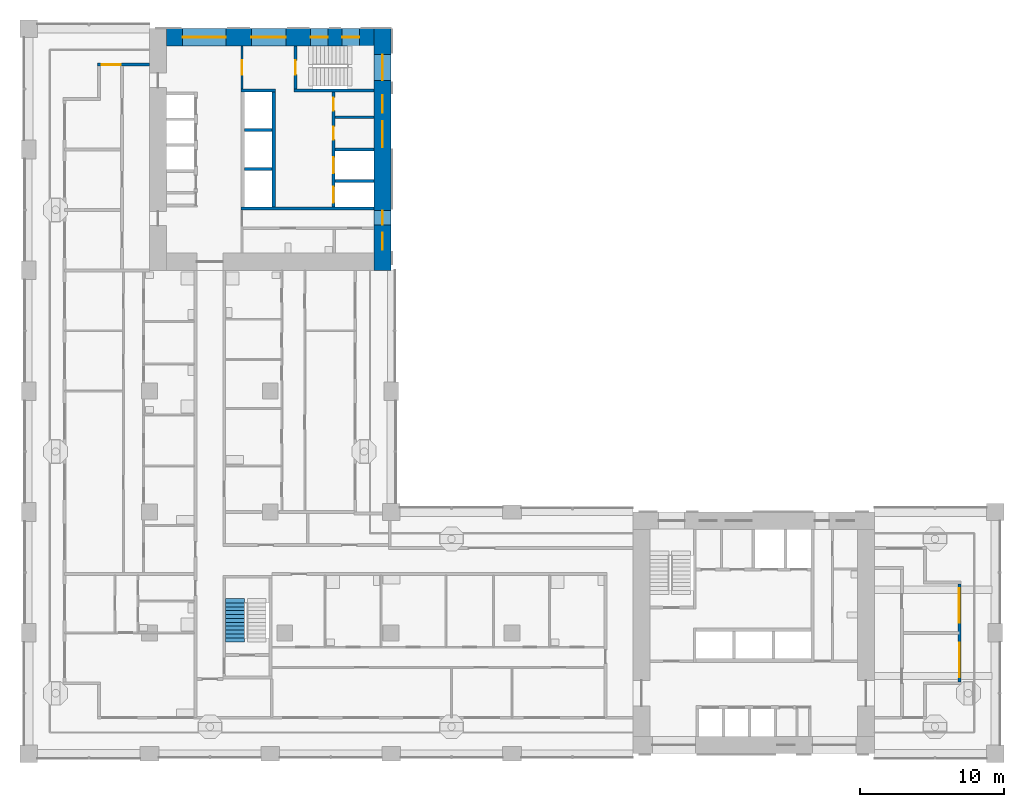
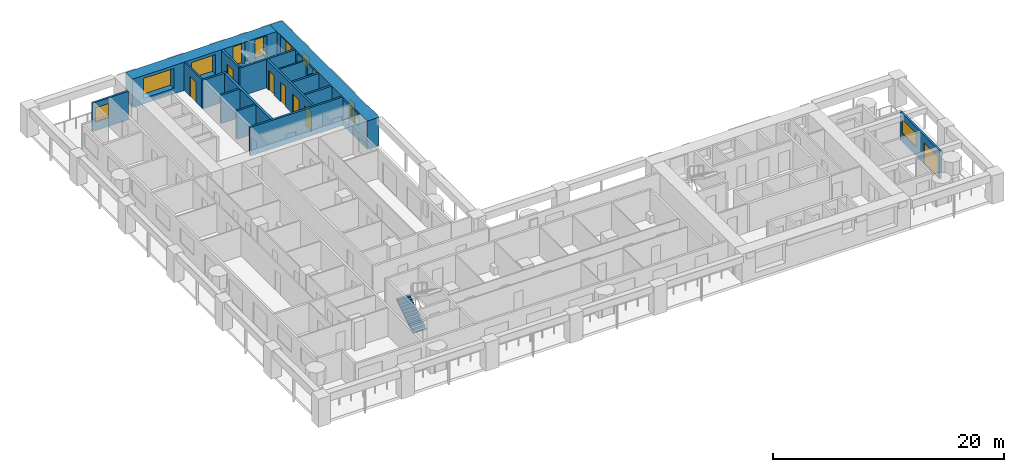
# One storey, part 7 of 18: 16 walls, 11 windows, 7 doors, 1 stair flight, 18 openings, 1 element without a shape of its own.
"""IFC4 building model written with IfcOpenShell, lengths in metres."""

import ifcopenshell
import ifcopenshell.guid

model = None  # the IFC model being written
_history = None  # IfcOwnerHistory: only IFC2X3 demands one
_inside = {}  # id of a spatial element -> (the spatial element, [elements in it])
_under = {}  # id of a project, library or spatial element -> (it, [spatial elements below it])
_declared = {}  # id of a project -> (the project, [libraries it declares])
_typed = {}  # id of a type object -> (the type object, [elements of that type])
_made_of = {}  # id of a material, layer set ... -> (it, [elements and type objects made of it])


def new_model(schema):
    """Start an empty IFC model of exactly this schema.

    Asked for "IFC4X3", IfcOpenShell would pick the latest addendum, in which some entities
    have other attributes; the version numbers below select the first issue.
    IFC2X3 requires an IfcOwnerHistory on every rooted entity: one is made here for all.
    """
    global model, _history
    if schema == "IFC4X3":
        model = ifcopenshell.file(schema_version=(4, 3, 0, 0))
    else:
        model = ifcopenshell.file(schema=schema)
    _inside.clear()
    _under.clear()
    _declared.clear()
    _typed.clear()
    _made_of.clear()
    _history = None
    if model.schema == "IFC2X3":
        org = make("IfcOrganization", Name="unknown")
        user = make(
            "IfcPersonAndOrganization",
            ThePerson=make("IfcPerson", FamilyName="unknown"),
            TheOrganization=org,
        )
        app = make(
            "IfcApplication",
            ApplicationDeveloper=org,
            Version="unknown",
            ApplicationFullName="unknown",
            ApplicationIdentifier="unknown",
        )
        _history = make(
            "IfcOwnerHistory",
            OwningUser=user,
            OwningApplication=app,
            ChangeAction="ADDED",
            CreationDate=0,
        )
    return model


def make(cls, **values):
    """One entity of the class cls with the attributes given. An attribute that is None is left unset."""
    return model.create_entity(
        cls, **{name: value for name, value in values.items() if value is not None}
    )


def rooted(cls, **values):
    """An entity with a GlobalId (a new one), such as an element, a storey or a relation."""
    return make(cls, GlobalId=ifcopenshell.guid.new(), OwnerHistory=_history, **values)


def si_unit(unit_type, name, prefix=None):
    """IfcSIUnit, for example si_unit("LENGTHUNIT", "METRE", prefix="MILLI")."""
    return make("IfcSIUnit", UnitType=unit_type, Prefix=prefix, Name=name)


def assignment(units):
    """IfcUnitAssignment: the units of a project."""
    return None if units is None else make("IfcUnitAssignment", Units=units)


def point(xyz):
    """IfcCartesianPoint."""
    return None if xyz is None else make("IfcCartesianPoint", Coordinates=xyz)


def direction(xyz):
    """IfcDirection."""
    return None if xyz is None else make("IfcDirection", DirectionRatios=xyz)


def frame(location, z_axis=None, x_axis=None):
    """IfcAxis2Placement3D, a coordinate frame: its origin and axes. An axis left out is left unset."""
    return make(
        "IfcAxis2Placement3D",
        Location=point(location),
        Axis=direction(z_axis),
        RefDirection=direction(x_axis),
    )


def frame_2d(location, x_axis=None):
    """IfcAxis2Placement2D, a coordinate frame in the plane: its origin and x axis."""
    return make(
        "IfcAxis2Placement2D", Location=point(location), RefDirection=direction(x_axis)
    )


def origin():
    """The frame at (0, 0, 0) with its axes left unset."""
    return frame((0.0, 0.0, 0.0))


def place(relative_to, where):
    """IfcLocalPlacement: puts the frame where relative to a parent placement (None: the world)."""
    return make(
        "IfcLocalPlacement", PlacementRelTo=relative_to, RelativePlacement=where
    )


def context(
    kind, dimensions, precision=None, world=None, true_north=None, identifier=None
):
    """IfcGeometricRepresentationContext, for example the 3D "Model" context."""
    return make(
        "IfcGeometricRepresentationContext",
        ContextIdentifier=identifier,
        ContextType=kind,
        CoordinateSpaceDimension=dimensions,
        Precision=precision,
        WorldCoordinateSystem=world,
        TrueNorth=true_north,
    )


def subcontext(parent, identifier, kind, view, scale=None):
    """IfcGeometricRepresentationSubContext, for example "Body" below "Model"."""
    return make(
        "IfcGeometricRepresentationSubContext",
        ContextIdentifier=identifier,
        ContextType=kind,
        ParentContext=parent,
        TargetScale=scale,
        TargetView=view,
    )


def project(units=None, contexts=None):
    """IfcProject with its units and contexts."""
    return rooted(
        "IfcProject",
        Name="project",
        RepresentationContexts=contexts,
        UnitsInContext=assignment(units),
    )


def spatial(cls, under=None, at=None, **own):
    """A site, building, storey or space (cls), placed at a placement, below another one or the project."""
    s = rooted(cls, ObjectPlacement=at, **own)
    if under is not None:
        _under.setdefault(under.id(), (under, []))[1].append(s)
    return s


def polyline(points):
    """IfcPolyline through the points."""
    return make("IfcPolyline", Points=[point(p) for p in points])


def profile(cls, at=None, kind="AREA", **sizes):
    """A parametric profile (cls). Its sizes go by their IFC names, for example OverallWidth=200.0."""
    return make(cls, ProfileType=kind, Position=at, **sizes)


def rectangle(**sizes):
    """IfcRectangleProfileDef."""
    return profile("IfcRectangleProfileDef", **sizes)


def outline(outer, holes=None, kind="AREA"):
    """IfcArbitraryClosedProfileDef: a profile drawn as a closed curve; with holes, ...WithVoids."""
    if holes is None:
        return make("IfcArbitraryClosedProfileDef", ProfileType=kind, OuterCurve=outer)
    return make(
        "IfcArbitraryProfileDefWithVoids",
        ProfileType=kind,
        OuterCurve=outer,
        InnerCurves=holes,
    )


def extrude(swept, where, along, depth):
    """IfcExtrudedAreaSolid: the profile swept, set in the frame where, extruded along a direction by depth."""
    return make(
        "IfcExtrudedAreaSolid",
        SweptArea=swept,
        Position=where,
        ExtrudedDirection=direction(along),
        Depth=depth,
    )


def shape(context_of_items, identifier, shape_type, items):
    """IfcShapeRepresentation: the items that make up one representation, for example the "Body"."""
    return make(
        "IfcShapeRepresentation",
        ContextOfItems=context_of_items,
        RepresentationIdentifier=identifier,
        RepresentationType=shape_type,
        Items=items,
    )


def material(Name=None, Category=None):
    """IfcMaterial."""
    return make("IfcMaterial", Name=Name, Category=Category)


def layer(
    of_material, thickness, ventilated=None, Name=None, Category=None, Priority=None
):
    """IfcMaterialLayer: one layer of a wall or slab, of a material (None: an air gap)."""
    return make(
        "IfcMaterialLayer",
        Material=of_material,
        LayerThickness=thickness,
        IsVentilated=ventilated,
        Name=Name,
        Category=Category,
        Priority=Priority,
    )


def layer_set(layers, Name=None):
    """IfcMaterialLayerSet."""
    return make("IfcMaterialLayerSet", MaterialLayers=layers, LayerSetName=Name)


def made_of(thing, what):
    """Note that an element or type object is made of a material, layer set ...; save() writes the relation."""
    if what is not None:
        _made_of.setdefault(what.id(), (what, []))[1].append(thing)
    return thing


def type_object(cls, material=None, **own):
    """A type object (cls), such as IfcWallType, which elements share."""
    return made_of(rooted(cls, **own), material)


def element(
    cls,
    number,
    at=None,
    inside=None,
    cuts=None,
    type_object=None,
    material=None,
    context=None,
    identifier="Body",
    shape_type=None,
    held_by="IfcProductDefinitionShape",
    body=None,
    shapes=None,
    **own,
):
    """One element of the class cls, such as IfcWall. Its Tag is "e" and its number.

    at: its placement. inside: the storey or other place that contains it. cuts: it is an
    opening in that element (IfcRelVoidsElement). A single representation is given by context,
    identifier, shape_type and body (its items); several are given by shapes. held_by: the class
    of the entity that holds the representations. save() writes the other relations.
    """
    e = rooted(cls, Tag="e%d" % number, ObjectPlacement=at, **own)
    if body is not None:
        shapes = [shape(context, identifier, shape_type, body)]
    if shapes is not None:
        e.Representation = make(held_by, Representations=shapes)
    if inside is not None:
        _inside.setdefault(inside.id(), (inside, []))[1].append(e)
    if cuts is not None:
        rooted(
            "IfcRelVoidsElement", RelatingBuildingElement=cuts, RelatedOpeningElement=e
        )
    if type_object is not None:
        _typed.setdefault(type_object.id(), (type_object, []))[1].append(e)
    return made_of(e, material)


def fill(opening, filler):
    """IfcRelFillsElement: the door or window that sits in an opening."""
    return rooted(
        "IfcRelFillsElement",
        RelatingOpeningElement=opening,
        RelatedBuildingElement=filler,
    )


def aggregate(whole, parts):
    """IfcRelAggregates: a whole, such as a stair, and the parts it consists of."""
    return rooted("IfcRelAggregates", RelatingObject=whole, RelatedObjects=parts)


def save(model, path):
    """Write the relations noted so far, then the file.

    IfcRelAggregates (storeys below a building ...), IfcRelContainedInSpatialStructure (elements
    in a storey), IfcRelDefinesByType, IfcRelAssociatesMaterial and IfcRelDeclares: one each for
    every whole, place, type object, material and project.
    """
    for whole, parts in _under.values():
        aggregate(whole, parts)
    for where, things in _inside.values():
        rooted(
            "IfcRelContainedInSpatialStructure",
            RelatedElements=things,
            RelatingStructure=where,
        )
    for kind, things in _typed.values():
        rooted("IfcRelDefinesByType", RelatedObjects=things, RelatingType=kind)
    for what, things in _made_of.values():
        rooted("IfcRelAssociatesMaterial", RelatedObjects=things, RelatingMaterial=what)
    for by, libraries in _declared.values():
        rooted("IfcRelDeclares", RelatingContext=by, RelatedDefinitions=libraries)
    model.write(path)


model = new_model("IFC4")

# Units and contexts
model_context = context("Model", 3, precision=1e-05, world=origin(), true_north=direction((0.0, 1.0)))
body_context = subcontext(model_context, "Body", "Model", "MODEL_VIEW")
ifc_project = project(units=[si_unit("LENGTHUNIT", "METRE"), si_unit("AREAUNIT", "SQUARE_METRE"), si_unit("VOLUMEUNIT", "CUBIC_METRE"), si_unit("PLANEANGLEUNIT", "RADIAN"), si_unit("MASSUNIT", "GRAM", prefix="KILO")], contexts=[model_context])

# Site, building, storey
site_placement = place(None, origin())
site = spatial("IfcSite", under=ifc_project, at=site_placement, CompositionType="ELEMENT")
building_placement = place(site_placement, origin())
building = spatial("IfcBuilding", under=site, at=building_placement, Name="Vermilion Gate Residences", CompositionType="ELEMENT")
storey_placement = place(building_placement, frame((0.0, 0.0, 137.199951171875)))
storey = spatial("IfcBuildingStorey", under=building, at=storey_placement, Name="L35", CompositionType="ELEMENT", Elevation=137.199951171875)

# Wall
ifc_material_1 = material(Name="Masonry blockwork", Category="masonry")
ifc_layer_1 = layer(ifc_material_1, 0.14990234375)
ifc_layer_set_1 = layer_set([ifc_layer_1], Name="BLOCKWORK PARTITION 150 EI 120")
wall_type_1 = type_object("IfcWallType", Name="BLOCKWORK PARTITION 150 EI 120", PredefinedType="PARTITIONING", material=ifc_layer_set_1)
wall_1_placement = place(storey_placement, frame((21.300048828125, 52.637451171875, 0.0), z_axis=(0.0, 0.0, 1.0), x_axis=(1.0, 0.0, 0.0)))
element("IfcWall", 1, at=wall_1_placement, inside=storey, type_object=wall_type_1, Name="Core room partition B35-NR-P0", PredefinedType="PARTITIONING", context=body_context, shape_type="SweptSolid", body=[
    extrude(rectangle(XDim=2.699951171875, YDim=0.14990234375, at=frame_2d((1.35009765625, 0.0))), origin(), (0.0, 0.0, 1.0), 3.0),
])

# Wall, opening, door
wall_2_placement = place(storey_placement, frame((14.824951171875, 57.60009765625, 0.0), z_axis=(0.0, 0.0, 1.0), x_axis=(0.0, -1.0, 0.0)))
wall_2 = element("IfcWall", 2, at=wall_2_placement, inside=storey, type_object=wall_type_1, Name="Core room partition B35-VW-S", PredefinedType="PARTITIONING", context=body_context, shape_type="SweptSolid", body=[
    extrude(rectangle(XDim=3.0, YDim=0.14990234375, at=frame_2d((1.5, 0.0))), origin(), (0.0, 0.0, 1.0), 3.0),
])
opening_1_placement = place(wall_2_placement, frame((1.0, 0.0, 0.0)))
opening_1 = element("IfcOpeningElement", 3, at=opening_1_placement, cuts=wall_2, Name="Opening DK35113", PredefinedType="OPENING", context=body_context, shape_type="SweptSolid", body=[
    extrude(rectangle(XDim=1.0, YDim=2.10009765625, at=frame_2d((0.5, 1.050048828125))), frame((0.0, 0.0849609375, 0.0), z_axis=(0.0, -1.0, 0.0), x_axis=(1.0, 0.0, 0.0)), (0.0, 0.0, 1.0), 0.169921875),
])
ifc_material_2 = material(Name="Steel", Category="steel")
door_type_1 = type_object("IfcDoorType", Name="FIRE DOOR FD60 1000 X 2100", OperationType="SINGLE_SWING_LEFT", PredefinedType="DOOR", material=ifc_material_2)
door_1_placement = place(opening_1_placement, frame((1.0, 0.0, 0.0), z_axis=(0.0, 0.0, 1.0), x_axis=(-1.0, 0.0, 0.0)))
door_1 = element("IfcDoor", 4, at=door_1_placement, inside=storey, type_object=door_type_1, Name="Stair vestibule door B35", OperationType="SINGLE_SWING_RIGHT", OverallHeight=2.10009765625, OverallWidth=1.0, PredefinedType="DOOR", context=body_context, shape_type="SweptSolid", body=[
    extrude(rectangle(XDim=1.0, YDim=2.10009765625, at=frame_2d((0.5, 1.050048828125))), frame((0.0, 0.02490234375, 0.0), z_axis=(0.0, -1.0, 0.0), x_axis=(1.0, 0.0, 0.0)), (0.0, 0.0, 1.0), 0.050048828125),
])
fill(opening_1, door_1)

# Wall, opening, window
ifc_material_3 = material(Name="Insulated steel stud wall with terracotta rainscreen", Category="masonry")
ifc_layer_2 = layer(ifc_material_3, 0.199951171875)
ifc_layer_set_2 = layer_set([ifc_layer_2], Name="EXTERNAL WALL 200 TERRACOTTA RAINSCREEN")
wall_type_2 = type_object("IfcWallType", Name="EXTERNAL WALL 200 TERRACOTTA RAINSCREEN", PredefinedType="SOLIDWALL", material=ifc_layer_set_2)
wall_3_placement = place(storey_placement, frame((8.39990234375, 56.300048828125, 0.0), z_axis=(0.0, 0.0, 1.0), x_axis=(-1.0, 0.0, 0.0)))
wall_3 = element("IfcWall", 5, at=wall_3_placement, inside=storey, type_object=wall_type_2, Name="External wall", PredefinedType="SOLIDWALL", context=body_context, shape_type="SweptSolid", body=[
    extrude(rectangle(XDim=3.599853515625, YDim=0.199951171875, at=frame_2d((1.7998046875, 0.0))), origin(), (0.0, 0.0, 1.0), 3.0),
])
opening_2_placement = place(wall_3_placement, frame((2.0, 0.0, 0.89990234375)))
opening_2 = element("IfcOpeningElement", 6, at=opening_2_placement, cuts=wall_3, Name="Opening WE35001", PredefinedType="OPENING", context=body_context, shape_type="SweptSolid", body=[
    extrude(rectangle(XDim=1.300048828125, YDim=1.5, at=frame_2d((0.64990234375, 0.75))), frame((0.0, 0.10986328125, 0.0), z_axis=(0.0, -1.0, 0.0), x_axis=(1.0, 0.0, 0.0)), (0.0, 0.0, 1.0), 0.219970703125),
])
ifc_material_4 = material(Name="Aluminium and clear glass", Category="aluminium")
window_type_1 = type_object("IfcWindowType", Name="WINDOW 1300 X 1500", PartitioningType="SINGLE_PANEL", PredefinedType="WINDOW", material=ifc_material_4)
window_1_placement = place(opening_2_placement, origin())
window_1 = element("IfcWindow", 7, at=window_1_placement, inside=storey, type_object=window_type_1, Name="Window", OverallHeight=1.5, OverallWidth=1.300048828125, PartitioningType="SINGLE_PANEL", PredefinedType="WINDOW", context=body_context, shape_type="SweptSolid", body=[
    extrude(rectangle(XDim=1.300048828125, YDim=1.5, at=frame_2d((0.64990234375, 0.75))), frame((0.0, 0.030029296875, 0.0), z_axis=(0.0, -1.0, 0.0), x_axis=(1.0, 0.0, 0.0)), (0.0, 0.0, 1.0), 0.06005859375),
])
fill(opening_2, window_1)

# Wall, openings, door, window
wall_4_placement = place(storey_placement, frame((64.699951171875, 13.39990234375, 0.0), z_axis=(0.0, 0.0, 1.0), x_axis=(0.0, 1.0, 0.0)))
wall_4 = element("IfcWall", 8, at=wall_4_placement, inside=storey, type_object=wall_type_2, Name="External wall", PredefinedType="SOLIDWALL", context=body_context, shape_type="SweptSolid", body=[
    extrude(rectangle(XDim=6.800048828125, YDim=0.199951171875, at=frame_2d((3.39990234375, 0.0))), origin(), (0.0, 0.0, 1.0), 3.0),
])
opening_3_placement = place(wall_4_placement, frame((4.10009765625, 0.0, 0.89990234375)))
opening_3 = element("IfcOpeningElement", 9, at=opening_3_placement, cuts=wall_4, Name="Opening WE35022", PredefinedType="OPENING", context=body_context, shape_type="SweptSolid", body=[
    extrude(rectangle(XDim=2.39990234375, YDim=1.5, at=frame_2d((1.199951171875, 0.75))), frame((0.0, 0.10986328125, 0.0), z_axis=(0.0, -1.0, 0.0), x_axis=(1.0, 0.0, 0.0)), (0.0, 0.0, 1.0), 0.219970703125),
])
opening_4_placement = place(wall_4_placement, frame((0.300048828125, 0.0, 0.0)))
opening_4 = element("IfcOpeningElement", 10, at=opening_4_placement, cuts=wall_4, Name="Opening DE35028", PredefinedType="OPENING", context=body_context, shape_type="SweptSolid", body=[
    extrude(rectangle(XDim=2.39990234375, YDim=2.199951171875, at=frame_2d((1.199951171875, 1.10009765625))), frame((0.0, 0.10986328125, 0.0), z_axis=(0.0, -1.0, 0.0), x_axis=(1.0, 0.0, 0.0)), (0.0, 0.0, 1.0), 0.219970703125),
])
ifc_material_5 = material(Name="Aluminium and clear glass", Category="aluminium")
door_type_2 = type_object("IfcDoorType", Name="SLIDING GLAZED DOOR 2400 X 2200", OperationType="DOUBLE_DOOR_SLIDING", PredefinedType="DOOR", material=ifc_material_5)
door_2_placement = place(opening_4_placement, origin())
door_2 = element("IfcDoor", 11, at=door_2_placement, inside=storey, type_object=door_type_2, Name="Loggia sliding door", OperationType="DOUBLE_DOOR_SLIDING", OverallHeight=2.199951171875, OverallWidth=2.39990234375, PredefinedType="DOOR", context=body_context, shape_type="SweptSolid", body=[
    extrude(rectangle(XDim=2.39990234375, YDim=2.199951171875, at=frame_2d((1.199951171875, 1.10009765625))), frame((0.0, 0.02490234375, 0.0), z_axis=(0.0, -1.0, 0.0), x_axis=(1.0, 0.0, 0.0)), (0.0, 0.0, 1.0), 0.050048828125),
])
fill(opening_4, door_2)
ifc_material_6 = material(Name="Aluminium and clear glass", Category="aluminium")
window_type_2 = type_object("IfcWindowType", Name="WINDOW 2400 X 1500", PartitioningType="SINGLE_PANEL", PredefinedType="WINDOW", material=ifc_material_6)
window_2_placement = place(opening_3_placement, origin())
window_2 = element("IfcWindow", 12, at=window_2_placement, inside=storey, type_object=window_type_2, Name="Window", OverallHeight=1.5, OverallWidth=2.39990234375, PartitioningType="SINGLE_PANEL", PredefinedType="WINDOW", context=body_context, shape_type="SweptSolid", body=[
    extrude(rectangle(XDim=2.39990234375, YDim=1.5, at=frame_2d((1.199951171875, 0.75))), frame((0.0, 0.030029296875, 0.0), z_axis=(0.0, -1.0, 0.0), x_axis=(1.0, 0.0, 0.0)), (0.0, 0.0, 1.0), 0.06005859375),
])
fill(opening_3, window_2)

# Walls
ifc_material_7 = material(Name="Concrete C60", Category="concrete")
ifc_layer_3 = layer(ifc_material_7, 0.199951171875)
ifc_layer_set_3 = layer_set([ifc_layer_3], Name="RC CORE INTERNAL WALL 200 C60")
wall_type_3 = type_object("IfcWallType", Name="RC CORE INTERNAL WALL 200 C60", PredefinedType="SHEAR", material=ifc_layer_set_3)
for number, where, z_axis, x_axis, name in (
    (13, (15.0, 51.7666015625, 0.0), (0.0, 0.0, 1.0), (1.0, 0.0, 0.0), "Core internal wall B35-HR-D1"),
    (14, (15.0, 49.033447265625, 0.0), (0.0, 0.0, 1.0), (1.0, 0.0, 0.0), "Core internal wall B35-HR-D2"),
):
    element("IfcWall", number, at=place(storey_placement, frame(where, z_axis=z_axis, x_axis=x_axis)), inside=storey, type_object=wall_type_3, Name=name, PredefinedType="SHEAR", context=body_context, shape_type="SweptSolid", body=[
        extrude(rectangle(XDim=1.89990234375, YDim=0.199951171875, at=frame_2d((0.949951171875, 0.0))), origin(), (0.0, 0.0, 1.0), 3.0),
    ])
for number, where, z_axis, x_axis, name in (
    (15, (21.300048828125, 50.39990234375, 0.0), (0.0, 0.0, 1.0), (1.0, 0.0, 0.0), "Core internal wall B35-FF-D0"),
    (16, (21.300048828125, 48.199951171875, 0.0), (0.0, 0.0, 1.0), (1.0, 0.0, 0.0), "Core internal wall B35-FF-D1"),
):
    element("IfcWall", number, at=place(storey_placement, frame(where, z_axis=z_axis, x_axis=x_axis)), inside=storey, type_object=wall_type_3, Name=name, PredefinedType="SHEAR", context=body_context, shape_type="SweptSolid", body=[
        extrude(rectangle(XDim=2.699951171875, YDim=0.199951171875, at=frame_2d((1.35009765625, 0.0))), origin(), (0.0, 0.0, 1.0), 3.0),
    ])

# Wall, openings, doors
wall_5_placement = place(storey_placement, frame((21.199951171875, 54.39990234375, 0.0), z_axis=(0.0, 0.0, 1.0), x_axis=(0.0, -1.0, 0.0)))
wall_5 = element("IfcWall", 17, at=wall_5_placement, inside=storey, type_object=wall_type_3, Name="Core internal wall B35-FF-F", PredefinedType="SHEAR", context=body_context, shape_type="SweptSolid", body=[
    extrude(rectangle(XDim=8.0, YDim=0.199951171875, at=frame_2d((4.0, 0.0))), origin(), (0.0, 0.0, 1.0), 3.0),
])
opening_5_placement = place(wall_5_placement, frame((0.393798828125, 0.0, 0.0)))
opening_5 = element("IfcOpeningElement", 18, at=opening_5_placement, cuts=wall_5, Name="Opening DK35109", PredefinedType="OPENING", context=body_context, shape_type="SweptSolid", body=[
    extrude(rectangle(XDim=0.89990234375, YDim=2.10009765625, at=frame_2d((0.449951171875, 1.050048828125))), frame((0.0, 0.10986328125, 0.0), z_axis=(0.0, -1.0, 0.0), x_axis=(1.0, 0.0, 0.0)), (0.0, 0.0, 1.0), 0.219970703125),
])
opening_6_placement = place(wall_5_placement, frame((2.418701171875, 0.0, 0.0)))
opening_6 = element("IfcOpeningElement", 19, at=opening_6_placement, cuts=wall_5, Name="Opening DK35110", PredefinedType="OPENING", context=body_context, shape_type="SweptSolid", body=[
    extrude(rectangle(XDim=0.89990234375, YDim=2.10009765625, at=frame_2d((0.449951171875, 1.050048828125))), frame((0.0, 0.10986328125, 0.0), z_axis=(0.0, -1.0, 0.0), x_axis=(1.0, 0.0, 0.0)), (0.0, 0.0, 1.0), 0.219970703125),
])
opening_7_placement = place(wall_5_placement, frame((4.550048828125, 0.0, 0.0)))
opening_7 = element("IfcOpeningElement", 20, at=opening_7_placement, cuts=wall_5, Name="Opening LD", PredefinedType="OPENING", context=body_context, shape_type="SweptSolid", body=[
    extrude(rectangle(XDim=1.10009765625, YDim=2.10009765625, at=frame_2d((0.550048828125, 1.050048828125))), frame((0.0, 0.10986328125, 0.0), z_axis=(0.0, -1.0, 0.0), x_axis=(1.0, 0.0, 0.0)), (0.0, 0.0, 1.0), 0.219970703125),
])
opening_8_placement = place(wall_5_placement, frame((6.60009765625, 0.0, 0.0)))
opening_8 = element("IfcOpeningElement", 21, at=opening_8_placement, cuts=wall_5, Name="Opening LD", PredefinedType="OPENING", context=body_context, shape_type="SweptSolid", body=[
    extrude(rectangle(XDim=1.10009765625, YDim=2.10009765625, at=frame_2d((0.550048828125, 1.050048828125))), frame((0.0, 0.10986328125, 0.0), z_axis=(0.0, -1.0, 0.0), x_axis=(1.0, 0.0, 0.0)), (0.0, 0.0, 1.0), 0.219970703125),
])
ifc_material_8 = material(Name="Stainless steel", Category="steel")
door_type_3 = type_object("IfcDoorType", Name="LIFT LANDING DOOR E60 1100 X 2100", OperationType="DOUBLE_DOOR_SLIDING", PredefinedType="DOOR", material=ifc_material_8)
door_3_placement = place(opening_7_placement, origin())
door_3 = element("IfcDoor", 22, at=door_3_placement, inside=storey, type_object=door_type_3, Name="Lift landing door LFB1", OperationType="DOUBLE_DOOR_SLIDING", OverallHeight=2.10009765625, OverallWidth=1.10009765625, PredefinedType="DOOR", context=body_context, shape_type="SweptSolid", body=[
    extrude(rectangle(XDim=1.10009765625, YDim=2.10009765625, at=frame_2d((0.550048828125, 1.050048828125))), frame((0.0, 0.02490234375, 0.0), z_axis=(0.0, -1.0, 0.0), x_axis=(1.0, 0.0, 0.0)), (0.0, 0.0, 1.0), 0.050048828125),
])
fill(opening_7, door_3)
door_4_placement = place(opening_8_placement, origin())
door_4 = element("IfcDoor", 23, at=door_4_placement, inside=storey, type_object=door_type_3, Name="Lift landing door LCB1", OperationType="DOUBLE_DOOR_SLIDING", OverallHeight=2.10009765625, OverallWidth=1.10009765625, PredefinedType="DOOR", context=body_context, shape_type="SweptSolid", body=[
    extrude(rectangle(XDim=1.10009765625, YDim=2.10009765625, at=frame_2d((0.550048828125, 1.050048828125))), frame((0.0, 0.02490234375, 0.0), z_axis=(0.0, -1.0, 0.0), x_axis=(1.0, 0.0, 0.0)), (0.0, 0.0, 1.0), 0.050048828125),
])
fill(opening_8, door_4)
ifc_material_9 = material(Name="Steel", Category="steel")
door_type_4 = type_object("IfcDoorType", Name="SERVICE ROOM DOOR FD60 900 X 2100", OperationType="SINGLE_SWING_LEFT", PredefinedType="DOOR", material=ifc_material_9)
door_5_placement = place(opening_5_placement, origin())
door_5 = element("IfcDoor", 24, at=door_5_placement, inside=storey, type_object=door_type_4, Name="Housekeeping store B35", OperationType="SINGLE_SWING_RIGHT", OverallHeight=2.10009765625, OverallWidth=0.89990234375, PredefinedType="DOOR", context=body_context, shape_type="SweptSolid", body=[
    extrude(rectangle(XDim=0.89990234375, YDim=2.10009765625, at=frame_2d((0.449951171875, 1.050048828125))), frame((0.0, 0.02490234375, 0.0), z_axis=(0.0, -1.0, 0.0), x_axis=(1.0, 0.0, 0.0)), (0.0, 0.0, 1.0), 0.050048828125),
])
fill(opening_5, door_5)
door_6_placement = place(opening_6_placement, origin())
door_6 = element("IfcDoor", 25, at=door_6_placement, inside=storey, type_object=door_type_4, Name="Mail room B35", OperationType="SINGLE_SWING_RIGHT", OverallHeight=2.10009765625, OverallWidth=0.89990234375, PredefinedType="DOOR", context=body_context, shape_type="SweptSolid", body=[
    extrude(rectangle(XDim=0.89990234375, YDim=2.10009765625, at=frame_2d((0.449951171875, 1.050048828125))), frame((0.0, 0.02490234375, 0.0), z_axis=(0.0, -1.0, 0.0), x_axis=(1.0, 0.0, 0.0)), (0.0, 0.0, 1.0), 0.050048828125),
])
fill(opening_6, door_6)

# Walls
wall_6_placement = place(storey_placement, frame((14.75, 54.5, 0.0), z_axis=(0.0, 0.0, 1.0), x_axis=(1.0, 0.0, 0.0)))
element("IfcWall", 26, at=wall_6_placement, inside=storey, type_object=wall_type_3, Name="Core internal wall B35-WDIV1", PredefinedType="SHEAR", context=body_context, shape_type="SweptSolid", body=[
    extrude(rectangle(XDim=2.39990234375, YDim=0.199951171875, at=frame_2d((1.199951171875, 0.0))), origin(), (0.0, 0.0, 1.0), 3.0),
])
wall_7_placement = place(storey_placement, frame((18.449951171875, 54.5, 0.0), z_axis=(0.0, 0.0, 1.0), x_axis=(1.0, 0.0, 0.0)))
element("IfcWall", 27, at=wall_7_placement, inside=storey, type_object=wall_type_3, Name="Core internal wall B35-WDIV2", PredefinedType="SHEAR", context=body_context, shape_type="SweptSolid", body=[
    extrude(rectangle(XDim=5.550048828125, YDim=0.199951171875, at=frame_2d((2.77490234375, 0.0))), origin(), (0.0, 0.0, 1.0), 3.0),
])

# Wall, opening, door
wall_8_placement = place(storey_placement, frame((18.550048828125, 57.60009765625, 0.0), z_axis=(0.0, 0.0, 1.0), x_axis=(0.0, -1.0, 0.0)))
wall_8 = element("IfcWall", 28, at=wall_8_placement, inside=storey, type_object=wall_type_3, Name="Core internal wall B35-STW-S", PredefinedType="SHEAR", context=body_context, shape_type="SweptSolid", body=[
    extrude(rectangle(XDim=3.0, YDim=0.199951171875, at=frame_2d((1.5, 0.0))), origin(), (0.0, 0.0, 1.0), 3.0),
])
opening_9_placement = place(wall_8_placement, frame((1.0, 0.0, 0.0)))
opening_9 = element("IfcOpeningElement", 29, at=opening_9_placement, cuts=wall_8, Name="Opening DK35114", PredefinedType="OPENING", context=body_context, shape_type="SweptSolid", body=[
    extrude(rectangle(XDim=1.0, YDim=2.10009765625, at=frame_2d((0.5, 1.050048828125))), frame((0.0, 0.10986328125, 0.0), z_axis=(0.0, -1.0, 0.0), x_axis=(1.0, 0.0, 0.0)), (0.0, 0.0, 1.0), 0.219970703125),
])
door_7_placement = place(opening_9_placement, origin())
door_7 = element("IfcDoor", 30, at=door_7_placement, inside=storey, type_object=door_type_1, Name="Stair door B35", OperationType="SINGLE_SWING_LEFT", OverallHeight=2.10009765625, OverallWidth=1.0, PredefinedType="DOOR", context=body_context, shape_type="SweptSolid", body=[
    extrude(rectangle(XDim=1.0, YDim=2.10009765625, at=frame_2d((0.5, 1.050048828125))), frame((0.0, 0.02490234375, 0.0), z_axis=(0.0, -1.0, 0.0), x_axis=(1.0, 0.0, 0.0)), (0.0, 0.0, 1.0), 0.050048828125),
])
fill(opening_9, door_7)

# Wall
wall_9_placement = place(storey_placement, frame((14.75, 46.300048828125, 0.0), z_axis=(0.0, 0.0, 1.0), x_axis=(1.0, 0.0, 0.0)))
element("IfcWall", 31, at=wall_9_placement, inside=storey, type_object=wall_type_3, Name="Core internal wall B35-EDIV", PredefinedType="SHEAR", context=body_context, shape_type="SweptSolid", body=[
    extrude(rectangle(XDim=9.25, YDim=0.199951171875, at=frame_2d((4.625, 0.0))), origin(), (0.0, 0.0, 1.0), 3.0),
])

# Wall, openings, windows
ifc_material_10 = material(Name="Concrete C70 red-oxide pigmented", Category="concrete")
ifc_layer_4 = layer(ifc_material_10, 1.199951171875)
ifc_layer_set_4 = layer_set([ifc_layer_4], Name="RC CORE WALL 1200 C70 RED OXIDE")
wall_type_4 = type_object("IfcWallType", Name="RC CORE WALL 1200 C70 RED OXIDE", PredefinedType="SHEAR", material=ifc_layer_set_4)
wall_10_placement = place(storey_placement, frame((24.60009765625, 58.800048828125, 0.0), z_axis=(0.0, 0.0, 1.0), x_axis=(0.0, -1.0, 0.0)))
wall_10 = element("IfcWall", 32, at=wall_10_placement, inside=storey, type_object=wall_type_4, Name="Core wall B35-OUT-B1", PredefinedType="SHEAR", context=body_context, shape_type="SweptSolid", body=[
    extrude(rectangle(XDim=16.800048828125, YDim=1.199951171875, at=frame_2d((8.39990234375, 0.0))), origin(), (0.0, 0.0, 1.0), 3.0),
])
opening_10_placement = place(wall_10_placement, frame((1.800048828125, 0.0, 0.5)))
opening_10 = element("IfcOpeningElement", 33, at=opening_10_placement, cuts=wall_10, Name="Opening WKB3501", PredefinedType="OPENING", context=body_context, shape_type="SweptSolid", body=[
    extrude(rectangle(XDim=1.800048828125, YDim=2.39990234375, at=frame_2d((0.89990234375, 1.199951171875))), frame((0.0, 0.60986328125, 0.0), z_axis=(0.0, -1.0, 0.0), x_axis=(1.0, 0.0, 0.0)), (0.0, 0.0, 1.0), 1.219970703125),
])
opening_11_placement = place(wall_10_placement, frame((4.643798828125, 0.0, 1.60009765625)))
opening_11 = element("IfcOpeningElement", 34, at=opening_11_placement, cuts=wall_10, Name="Opening WKB3502", PredefinedType="OPENING", context=body_context, shape_type="SweptSolid", body=[
    extrude(rectangle(XDim=1.199951171875, YDim=1.199951171875, at=frame_2d((0.60009765625, 0.60009765625))), frame((0.0, 0.60986328125, 0.0), z_axis=(0.0, -1.0, 0.0), x_axis=(1.0, 0.0, 0.0)), (0.0, 0.0, 1.0), 1.219970703125),
])
opening_12_placement = place(wall_10_placement, frame((6.449951171875, 0.0, 1.60009765625)))
opening_12 = element("IfcOpeningElement", 35, at=opening_12_placement, cuts=wall_10, Name="Opening WKB3503", PredefinedType="OPENING", context=body_context, shape_type="SweptSolid", body=[
    extrude(rectangle(XDim=1.800048828125, YDim=1.199951171875, at=frame_2d((0.89990234375, 0.60009765625))), frame((0.0, 0.60986328125, 0.0), z_axis=(0.0, -1.0, 0.0), x_axis=(1.0, 0.0, 0.0)), (0.0, 0.0, 1.0), 1.219970703125),
])
opening_13_placement = place(wall_10_placement, frame((12.64990234375, 0.0, 0.60009765625)))
opening_13 = element("IfcOpeningElement", 36, at=opening_13_placement, cuts=wall_10, Name="Opening WKB3504", PredefinedType="OPENING", context=body_context, shape_type="SweptSolid", body=[
    extrude(rectangle(XDim=1.0, YDim=2.10009765625, at=frame_2d((0.5, 1.050048828125))), frame((0.0, 0.60986328125, 0.0), z_axis=(0.0, -1.0, 0.0), x_axis=(1.0, 0.0, 0.0)), (0.0, 0.0, 1.0), 1.219970703125),
])
opening_14_placement = place(wall_10_placement, frame((14.175048828125, 0.0, 1.60009765625)))
opening_14 = element("IfcOpeningElement", 37, at=opening_14_placement, cuts=wall_10, Name="Opening WKB3505", PredefinedType="OPENING", context=body_context, shape_type="SweptSolid", body=[
    extrude(rectangle(XDim=1.199951171875, YDim=1.199951171875, at=frame_2d((0.60009765625, 0.60009765625))), frame((0.0, 0.60986328125, 0.0), z_axis=(0.0, -1.0, 0.0), x_axis=(1.0, 0.0, 0.0)), (0.0, 0.0, 1.0), 1.219970703125),
])
ifc_material_11 = material(Name="Aluminium and clear glass", Category="aluminium")
window_type_3 = type_object("IfcWindowType", Name="CORE CORRIDOR WINDOW 1000 X 2100", PartitioningType="SINGLE_PANEL", PredefinedType="WINDOW", material=ifc_material_11)
window_3_placement = place(opening_13_placement, origin())
window_3 = element("IfcWindow", 38, at=window_3_placement, inside=storey, type_object=window_type_3, Name="Core corridor window", OverallHeight=2.10009765625, OverallWidth=1.0, PartitioningType="SINGLE_PANEL", PredefinedType="WINDOW", context=body_context, shape_type="SweptSolid", body=[
    extrude(rectangle(XDim=1.0, YDim=2.10009765625, at=frame_2d((0.5, 1.050048828125))), frame((0.0, 0.030029296875, 0.0), z_axis=(0.0, -1.0, 0.0), x_axis=(1.0, 0.0, 0.0)), (0.0, 0.0, 1.0), 0.06005859375),
])
fill(opening_13, window_3)
ifc_material_12 = material(Name="Aluminium frame with louvre blades", Category="aluminium")
window_type_4 = type_object("IfcWindowType", Name="CORE LOUVRE 1200 X 1200", PartitioningType="SINGLE_PANEL", PredefinedType="WINDOW", material=ifc_material_12)
window_4_placement = place(opening_11_placement, origin())
window_4 = element("IfcWindow", 39, at=window_4_placement, inside=storey, type_object=window_type_4, Name="Core louvre", OverallHeight=1.199951171875, OverallWidth=1.199951171875, PartitioningType="SINGLE_PANEL", PredefinedType="WINDOW", context=body_context, shape_type="SweptSolid", body=[
    extrude(rectangle(XDim=1.199951171875, YDim=1.199951171875, at=frame_2d((0.60009765625, 0.60009765625))), frame((0.0, 0.030029296875, 0.0), z_axis=(0.0, -1.0, 0.0), x_axis=(1.0, 0.0, 0.0)), (0.0, 0.0, 1.0), 0.06005859375),
])
fill(opening_11, window_4)
window_5_placement = place(opening_14_placement, origin())
window_5 = element("IfcWindow", 40, at=window_5_placement, inside=storey, type_object=window_type_4, Name="Core louvre", OverallHeight=1.199951171875, OverallWidth=1.199951171875, PartitioningType="SINGLE_PANEL", PredefinedType="WINDOW", context=body_context, shape_type="SweptSolid", body=[
    extrude(rectangle(XDim=1.199951171875, YDim=1.199951171875, at=frame_2d((0.60009765625, 0.60009765625))), frame((0.0, 0.030029296875, 0.0), z_axis=(0.0, -1.0, 0.0), x_axis=(1.0, 0.0, 0.0)), (0.0, 0.0, 1.0), 0.06005859375),
])
fill(opening_14, window_5)
ifc_material_13 = material(Name="Aluminium frame with louvre blades", Category="aluminium")
window_type_5 = type_object("IfcWindowType", Name="CORE LOUVRE 1800 X 1200", PartitioningType="SINGLE_PANEL", PredefinedType="WINDOW", material=ifc_material_13)
window_6_placement = place(opening_12_placement, origin())
window_6 = element("IfcWindow", 41, at=window_6_placement, inside=storey, type_object=window_type_5, Name="Core louvre", OverallHeight=1.199951171875, OverallWidth=1.800048828125, PartitioningType="SINGLE_PANEL", PredefinedType="WINDOW", context=body_context, shape_type="SweptSolid", body=[
    extrude(rectangle(XDim=1.800048828125, YDim=1.199951171875, at=frame_2d((0.89990234375, 0.60009765625))), frame((0.0, 0.030029296875, 0.0), z_axis=(0.0, -1.0, 0.0), x_axis=(1.0, 0.0, 0.0)), (0.0, 0.0, 1.0), 0.06005859375),
])
fill(opening_12, window_6)
ifc_material_14 = material(Name="Aluminium and clear glass", Category="aluminium")
window_type_6 = type_object("IfcWindowType", Name="CORE STAIR WINDOW 1800 X 2400", PartitioningType="SINGLE_PANEL", PredefinedType="WINDOW", material=ifc_material_14)
window_7_placement = place(opening_10_placement, origin())
window_7 = element("IfcWindow", 42, at=window_7_placement, inside=storey, type_object=window_type_6, Name="Core stair window", OverallHeight=2.39990234375, OverallWidth=1.800048828125, PartitioningType="SINGLE_PANEL", PredefinedType="WINDOW", context=body_context, shape_type="SweptSolid", body=[
    extrude(rectangle(XDim=1.800048828125, YDim=2.39990234375, at=frame_2d((0.89990234375, 1.199951171875))), frame((0.0, 0.030029296875, 0.0), z_axis=(0.0, -1.0, 0.0), x_axis=(1.0, 0.0, 0.0)), (0.0, 0.0, 1.0), 0.06005859375),
])
fill(opening_10, window_7)

wall_11_placement = place(storey_placement, frame((9.60009765625, 58.199951171875, 0.0), z_axis=(0.0, 0.0, 1.0), x_axis=(1.0, 0.0, 0.0)))
wall_11 = element("IfcWall", 43, at=wall_11_placement, inside=storey, type_object=wall_type_4, Name="Core wall B35-OUT-FR", PredefinedType="SHEAR", context=body_context, shape_type="SweptSolid", body=[
    extrude(rectangle(XDim=14.39990234375, YDim=1.199951171875, at=frame_2d((7.199951171875, 0.0))), origin(), (0.0, 0.0, 1.0), 3.0),
])
opening_15_placement = place(wall_11_placement, frame((1.10498046875, 0.0, 0.60009765625)))
opening_15 = element("IfcOpeningElement", 44, at=opening_15_placement, cuts=wall_11, Name="Opening WKB3506", PredefinedType="OPENING", context=body_context, shape_type="SweptSolid", body=[
    extrude(rectangle(XDim=3.0, YDim=2.10009765625, at=frame_2d((1.5, 1.050048828125))), frame((0.0, 0.60986328125, 0.0), z_axis=(0.0, -1.0, 0.0), x_axis=(1.0, 0.0, 0.0)), (0.0, 0.0, 1.0), 1.219970703125),
])
opening_16_placement = place(wall_11_placement, frame((5.875, 0.0, 0.60009765625)))
opening_16 = element("IfcOpeningElement", 45, at=opening_16_placement, cuts=wall_11, Name="Opening WKB3507", PredefinedType="OPENING", context=body_context, shape_type="SweptSolid", body=[
    extrude(rectangle(XDim=2.39990234375, YDim=2.10009765625, at=frame_2d((1.199951171875, 1.050048828125))), frame((0.0, 0.60986328125, 0.0), z_axis=(0.0, -1.0, 0.0), x_axis=(1.0, 0.0, 0.0)), (0.0, 0.0, 1.0), 1.219970703125),
])
opening_17_placement = place(wall_11_placement, frame((9.993408203125, 0.0, 0.5)))
opening_17 = element("IfcOpeningElement", 46, at=opening_17_placement, cuts=wall_11, Name="Opening WKB3508", PredefinedType="OPENING", context=body_context, shape_type="SweptSolid", body=[
    extrude(rectangle(XDim=1.199951171875, YDim=2.39990234375, at=frame_2d((0.60009765625, 1.199951171875))), frame((0.0, 0.60986328125, 0.0), z_axis=(0.0, -1.0, 0.0), x_axis=(1.0, 0.0, 0.0)), (0.0, 0.0, 1.0), 1.219970703125),
])
opening_18_placement = place(wall_11_placement, frame((12.19677734375, 0.0, 0.5)))
opening_18 = element("IfcOpeningElement", 47, at=opening_18_placement, cuts=wall_11, Name="Opening WKB3509", PredefinedType="OPENING", context=body_context, shape_type="SweptSolid", body=[
    extrude(rectangle(XDim=1.199951171875, YDim=2.39990234375, at=frame_2d((0.60009765625, 1.199951171875))), frame((0.0, 0.60986328125, 0.0), z_axis=(0.0, -1.0, 0.0), x_axis=(1.0, 0.0, 0.0)), (0.0, 0.0, 1.0), 1.219970703125),
])
ifc_material_15 = material(Name="Aluminium and clear glass", Category="aluminium")
window_type_7 = type_object("IfcWindowType", Name="CORE LOBBY WINDOW 2400 X 2100", PartitioningType="SINGLE_PANEL", PredefinedType="WINDOW", material=ifc_material_15)
window_8_placement = place(opening_16_placement, origin())
window_8 = element("IfcWindow", 48, at=window_8_placement, inside=storey, type_object=window_type_7, Name="Core lobby window", OverallHeight=2.10009765625, OverallWidth=2.39990234375, PartitioningType="SINGLE_PANEL", PredefinedType="WINDOW", context=body_context, shape_type="SweptSolid", body=[
    extrude(rectangle(XDim=2.39990234375, YDim=2.10009765625, at=frame_2d((1.199951171875, 1.050048828125))), frame((0.0, 0.030029296875, 0.0), z_axis=(0.0, -1.0, 0.0), x_axis=(1.0, 0.0, 0.0)), (0.0, 0.0, 1.0), 0.06005859375),
])
fill(opening_16, window_8)
ifc_material_16 = material(Name="Aluminium and clear glass", Category="aluminium")
window_type_8 = type_object("IfcWindowType", Name="CORE LOBBY WINDOW 3000 X 2100", PartitioningType="SINGLE_PANEL", PredefinedType="WINDOW", material=ifc_material_16)
window_9_placement = place(opening_15_placement, origin())
window_9 = element("IfcWindow", 49, at=window_9_placement, inside=storey, type_object=window_type_8, Name="Core lobby window", OverallHeight=2.10009765625, OverallWidth=3.0, PartitioningType="SINGLE_PANEL", PredefinedType="WINDOW", context=body_context, shape_type="SweptSolid", body=[
    extrude(rectangle(XDim=3.0, YDim=2.10009765625, at=frame_2d((1.5, 1.050048828125))), frame((0.0, 0.030029296875, 0.0), z_axis=(0.0, -1.0, 0.0), x_axis=(1.0, 0.0, 0.0)), (0.0, 0.0, 1.0), 0.06005859375),
])
fill(opening_15, window_9)
ifc_material_17 = material(Name="Aluminium and clear glass", Category="aluminium")
window_type_9 = type_object("IfcWindowType", Name="CORE STAIR WINDOW 1200 X 2400", PartitioningType="SINGLE_PANEL", PredefinedType="WINDOW", material=ifc_material_17)
window_10_placement = place(opening_17_placement, origin())
window_10 = element("IfcWindow", 50, at=window_10_placement, inside=storey, type_object=window_type_9, Name="Core stair window", OverallHeight=2.39990234375, OverallWidth=1.199951171875, PartitioningType="SINGLE_PANEL", PredefinedType="WINDOW", context=body_context, shape_type="SweptSolid", body=[
    extrude(rectangle(XDim=1.199951171875, YDim=2.39990234375, at=frame_2d((0.60009765625, 1.199951171875))), frame((0.0, 0.030029296875, 0.0), z_axis=(0.0, -1.0, 0.0), x_axis=(1.0, 0.0, 0.0)), (0.0, 0.0, 1.0), 0.06005859375),
])
fill(opening_17, window_10)
window_11_placement = place(opening_18_placement, origin())
window_11 = element("IfcWindow", 51, at=window_11_placement, inside=storey, type_object=window_type_9, Name="Core stair window", OverallHeight=2.39990234375, OverallWidth=1.199951171875, PartitioningType="SINGLE_PANEL", PredefinedType="WINDOW", context=body_context, shape_type="SweptSolid", body=[
    extrude(rectangle(XDim=1.199951171875, YDim=2.39990234375, at=frame_2d((0.60009765625, 1.199951171875))), frame((0.0, 0.030029296875, 0.0), z_axis=(0.0, -1.0, 0.0), x_axis=(1.0, 0.0, 0.0)), (0.0, 0.0, 1.0), 0.06005859375),
])
fill(opening_18, window_11)

# Wall
ifc_material_18 = material(Name="Concrete C60", Category="concrete")
ifc_layer_5 = layer(ifc_material_18, 0.25)
ifc_layer_set_5 = layer_set([ifc_layer_5], Name="RC LIFT SHAFT WALL 250 C60")
wall_type_5 = type_object("IfcWallType", Name="RC LIFT SHAFT WALL 250 C60", PredefinedType="SHEAR", material=ifc_layer_set_5)
wall_12_placement = place(storey_placement, frame((17.02490234375, 54.39990234375, 0.0), z_axis=(0.0, 0.0, 1.0), x_axis=(0.0, -1.0, 0.0)))
element("IfcWall", 52, at=wall_12_placement, inside=storey, type_object=wall_type_5, Name="Lift shaft wall B35-HR-B", PredefinedType="SHEAR", context=body_context, shape_type="SweptSolid", body=[
    extrude(rectangle(XDim=8.0, YDim=0.25, at=frame_2d((4.0, 0.0))), origin(), (0.0, 0.0, 1.0), 3.0),
])

# Stair, stair flight
ifc_material_19 = material(Name="Concrete C50", Category="concrete")
stair_type = type_object("IfcStairType", Name="SPECIAL ESCAPE STAIR 1300", PredefinedType="HALF_TURN_STAIR", material=ifc_material_19)
stair_placement = place(storey_placement, origin())
stair = element("IfcStair", 53, at=stair_placement, inside=storey, type_object=stair_type, Name="Special escape stair STC1-35", PredefinedType="HALF_TURN_STAIR")
ifc_material_20 = material(Name="Concrete C50", Category="concrete")
stair_flight_type = type_object("IfcStairFlightType", Name="STAIR FLIGHT 1300 RC C50", PredefinedType="STRAIGHT", material=ifc_material_20)
stair_flight_placement = place(storey_placement, frame((14.35009765625, 16.449951171875, 0.0), z_axis=(0.0, 0.0, 1.0), x_axis=(0.0, 1.0, 0.0)))
stair_flight = element("IfcStairFlight", 54, at=stair_flight_placement, type_object=stair_flight_type, Name="STC1-35 flight 1", NumberOfRisers=10, NumberOfTreads=9, PredefinedType="STRAIGHT", RiserHeight=0.175, TreadLength=0.27, context=body_context, shape_type="SweptSolid", body=[
    extrude(outline(polyline([(-0.300048828125, -0.14990234375), (-0.300048828125, -0.030029296875), (0.0, 0.0), (0.0, 0.175048828125), (0.27001953125, 0.175048828125), (0.27001953125, 0.35009765625), (0.5400390625, 0.35009765625), (0.5400390625, 0.52490234375), (0.81005859375, 0.52490234375), (0.81005859375, 0.699951171875), (1.080078125, 0.699951171875), (1.080078125, 0.875), (1.35009765625, 0.875), (1.35009765625, 1.050048828125), (1.6201171875, 1.050048828125), (1.6201171875, 1.22509765625), (1.889892578125, 1.22509765625), (1.889892578125, 1.39990234375), (2.159912109375, 1.39990234375), (2.159912109375, 1.574951171875), (2.429931640625, 1.574951171875), (2.429931640625, 1.75), (2.72998046875, 1.719970703125), (2.72998046875, 1.60009765625), (2.429931640625, 1.396484375), (0.275634765625, 0.0), (-0.300048828125, -0.14990234375)])), frame((0.0, 0.64990234375, 0.0), z_axis=(0.0, -1.0, 0.0), x_axis=(1.0, 0.0, 0.0)), (0.0, 0.0, 1.0), 1.300048828125),
])
aggregate(stair, [stair_flight])

save(model, "model.ifc")
